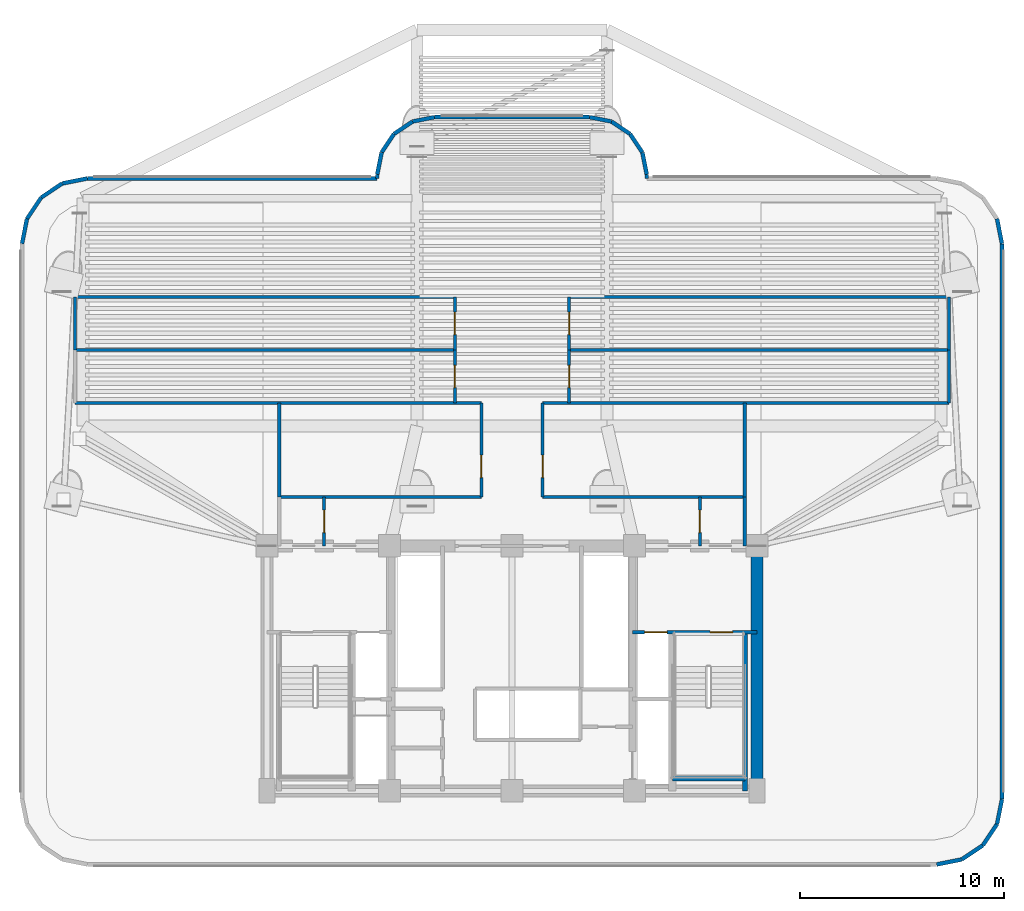
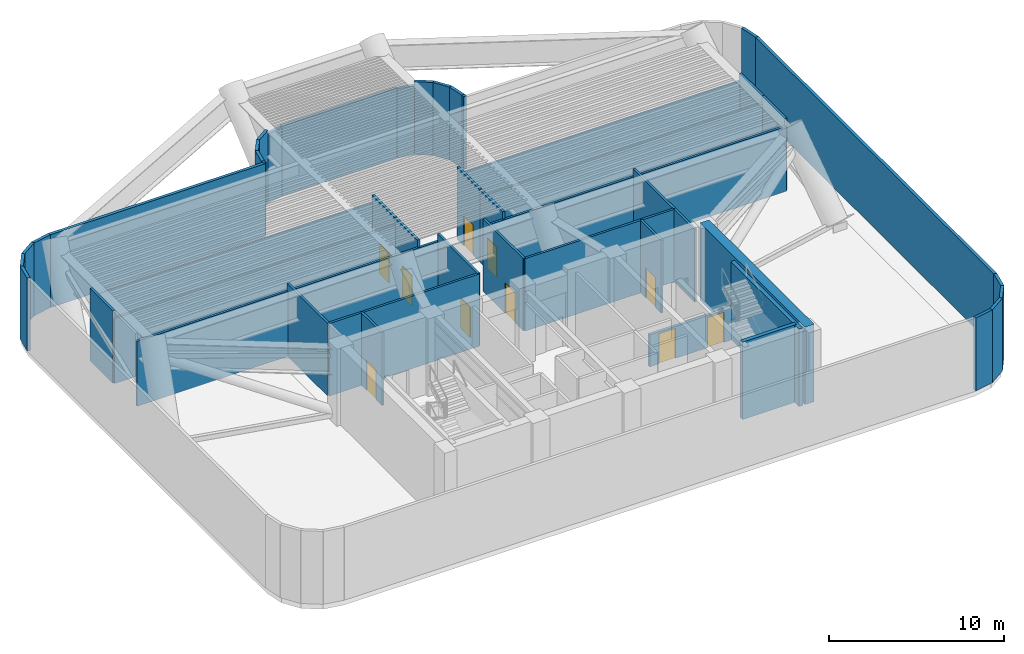
# One storey, part 6 of 11: 48 walls, 10 doors, 10 openings.
"""IFC4 building model written with IfcOpenShell, lengths in metres."""

from ifc_helpers import new_model, si_unit, direction, frame, frame_2d, origin, origin_2d, place, context, subcontext, project, spatial, rectangle, extrude, source, transform, mapped, material, layer, layer_set, type_object, element, fill, save


model = new_model("IFC4")

# Units and contexts
model_context = context("Model", 3, precision=1e-05, world=origin(), true_north=direction((0.0, 1.0)))
body_context = subcontext(model_context, "Body", "Model", "MODEL_VIEW")
ifc_project = project(units=[si_unit("LENGTHUNIT", "METRE"), si_unit("AREAUNIT", "SQUARE_METRE"), si_unit("VOLUMEUNIT", "CUBIC_METRE"), si_unit("PLANEANGLEUNIT", "RADIAN"), si_unit("MASSUNIT", "GRAM", prefix="KILO")], contexts=[model_context])

# Site, building, storey
site_placement = place(None, origin())
site = spatial("IfcSite", under=ifc_project, at=site_placement, CompositionType="ELEMENT")
building_placement = place(site_placement, origin())
building = spatial("IfcBuilding", under=site, at=building_placement, Name="Brelvock Crest Care Tower", CompositionType="ELEMENT")
storey_placement = place(building_placement, frame((0.0, 0.0, 79.919921875)))
storey = spatial("IfcBuildingStorey", under=building, at=storey_placement, Name="L20", CompositionType="ELEMENT", Elevation=79.919921875)

# Walls
ifc_material_1 = material(Name="Concrete S80 (80 MPa)", Category="concrete")
ifc_layer_1 = layer(ifc_material_1, 0.60009765625, Name="WL-CS1")
ifc_layer_set_1 = layer_set([ifc_layer_1], Name="Concrete S80 (80 MPa)")
wall_type_1 = type_object("IfcWallType", Name="WL-CS1", PredefinedType="SHEAR", material=ifc_layer_set_1)
wall_1_placement = place(storey_placement, frame((48.0, 18.0, 0.0), z_axis=(0.0, 0.0, 1.0), x_axis=(0.0, -1.0, 0.0)))
element("IfcWall", 1, at=wall_1_placement, inside=storey, type_object=wall_type_1, Name="L20 Core East Shear Wall", PredefinedType="SHEAR", context=body_context, shape_type="SweptSolid", body=[
    extrude(rectangle(XDim=12.0, YDim=0.60009765625, at=frame_2d((6.0, 0.0))), origin(), (0.0, 0.0, 1.0), 5.400146484375),
])
ifc_layer_2 = layer(ifc_material_1, 0.25, Name="WL-CS6")
ifc_layer_set_2 = layer_set([ifc_layer_2], Name="Concrete S80 (80 MPa)")
wall_type_2 = type_object("IfcWallType", Name="WL-CS6", PredefinedType="SHEAR", material=ifc_layer_set_2)
wall_2_placement = place(storey_placement, frame((47.419921875, 6.0, 0.0), z_axis=(0.0, 0.0, 1.0), x_axis=(0.0, 1.0, 0.0)))
element("IfcWall", 2, at=wall_2_placement, inside=storey, type_object=wall_type_2, Name="L20 Core Stair ST-2 East Shear Wall", PredefinedType="SHEAR", context=body_context, shape_type="SweptSolid", body=[
    extrude(rectangle(XDim=7.780029296875, YDim=0.25, at=frame_2d((3.89013671875, 0.0))), origin(), (0.0, 0.0, 1.0), 5.400146484375),
])
wall_3_placement = place(storey_placement, frame((43.85009765625, 6.6201171875, 0.0), z_axis=(0.0, 0.0, 1.0), x_axis=(1.0, 0.0, 0.0)))
element("IfcWall", 3, at=wall_3_placement, inside=storey, type_object=wall_type_2, Name="L20 Core Stair ST-2 South Shear Wall", PredefinedType="SHEAR", context=body_context, shape_type="SweptSolid", body=[
    extrude(rectangle(XDim=3.56982421875, YDim=0.25, at=frame_2d((1.784912109375, 0.0))), origin(), (0.0, 0.0, 1.0), 5.400146484375),
])
ifc_material_2 = material(Name="Precast concrete N40 (40 MPa)", Category="concrete")
ifc_layer_3 = layer(ifc_material_2, 0.195068359375, Name="WL-EX3")
ifc_layer_set_3 = layer_set([ifc_layer_3], Name="Precast concrete N40 (40 MPa)")
wall_type_3 = type_object("IfcWallType", Name="WL-EX3", PredefinedType="SOLIDWALL", material=ifc_layer_set_3)
wall_4_placement = place(storey_placement, frame((59.75634765625, 34.024658203125, 0.0), z_axis=(0.0, 0.0, 1.0), x_axis=(0.195138390419, -0.980775717779, 0.0)))
element("IfcWall", 4, at=wall_4_placement, inside=storey, type_object=wall_type_3, Name="L20 Crown and Plant Cladding Wall 02", PredefinedType="SOLIDWALL", context=body_context, shape_type="SweptSolid", body=[
    extrude(rectangle(XDim=1.24853515625, YDim=0.195068359375, at=frame_2d((0.624267578125, 0.0))), origin(), (0.0, 0.0, 1.0), 5.080078125),
])
wall_5_placement = place(storey_placement, frame((60.0, 32.800048828125, 0.0), z_axis=(0.0, 0.0, 1.0), x_axis=(0.0, -1.0, 0.0)))
element("IfcWall", 5, at=wall_5_placement, inside=storey, type_object=wall_type_3, Name="L20 Crown and Plant Cladding Wall 03", PredefinedType="SOLIDWALL", context=body_context, shape_type="SweptSolid", body=[
    extrude(rectangle(XDim=27.199951171875, YDim=0.195068359375, at=frame_2d((13.60009765625, 0.0))), origin(), (0.0, 0.0, 1.0), 5.080078125),
])
for number, where, z_axis, x_axis, name in (
    (6, (60.0, 5.60009765625, 0.0), (0.0, 0.0, 1.0), (-0.195138390419, -0.980775717779, 0.0), "L20 Crown and Plant Cladding Wall 04"),
    (7, (59.75634765625, 4.37548828125, 0.0), (0.0, 0.0, 1.0), (-0.555557312883, -0.831478245117, 0.0), "L20 Crown and Plant Cladding Wall 05"),
    (8, (59.062744140625, 3.33740234375, 0.0), (0.0, 0.0, 1.0), (-0.831387912822, -0.555692485475, 0.0), "L20 Crown and Plant Cladding Wall 06"),
    (9, (58.024658203125, 2.6435546875, 0.0), (0.0, 0.0, 1.0), (-0.980775717779, -0.195138390419, 0.0), "L20 Crown and Plant Cladding Wall 07"),
    (10, (12.0, 32.800048828125, 0.0), (0.0, 0.0, 1.0), (0.195138390419, 0.980775717779, 0.0), "L20 Crown and Plant Cladding Wall 14"),
    (11, (12.24365234375, 34.024658203125, 0.0), (0.0, 0.0, 1.0), (0.555557312883, 0.831478245117, 0.0), "L20 Crown and Plant Cladding Wall 15"),
    (12, (12.937255859375, 35.062744140625, 0.0), (0.0, 0.0, 1.0), (0.831478245117, 0.555557312883, 0.0), "L20 Crown and Plant Cladding Wall 16"),
    (13, (13.975341796875, 35.75634765625, 0.0), (0.0, 0.0, 1.0), (0.980775717779, 0.195138390419, 0.0), "L20 Crown and Plant Cladding Wall 17"),
):
    element("IfcWall", number, at=place(storey_placement, frame(where, z_axis=z_axis, x_axis=x_axis)), inside=storey, type_object=wall_type_3, Name=name, PredefinedType="SOLIDWALL", context=body_context, shape_type="SweptSolid", body=[
        extrude(rectangle(XDim=1.24853515625, YDim=0.195068359375, at=frame_2d((0.624267578125, 0.0))), origin(), (0.0, 0.0, 1.0), 5.080078125),
    ])
wall_6_placement = place(storey_placement, frame((15.199951171875, 36.0, 0.0), z_axis=(0.0, 0.0, 1.0), x_axis=(1.0, 0.0, 0.0)))
element("IfcWall", 14, at=wall_6_placement, inside=storey, type_object=wall_type_3, Name="L20 Crown and Plant Cladding Wall 18", PredefinedType="SOLIDWALL", context=body_context, shape_type="SweptSolid", body=[
    extrude(rectangle(XDim=14.199951171875, YDim=0.195068359375, at=frame_2d((7.10009765625, 0.0))), origin(), (0.0, 0.0, 1.0), 5.080078125),
])
wall_7_placement = place(storey_placement, frame((29.39990234375, 36.0, 0.0), z_axis=(0.0, 0.0, 1.0), x_axis=(0.0, 1.0, 0.0)))
element("IfcWall", 15, at=wall_7_placement, inside=storey, type_object=wall_type_3, Name="L20 Crown and Plant Cladding Wall 19", PredefinedType="SOLIDWALL", context=body_context, shape_type="SweptSolid", body=[
    extrude(rectangle(XDim=0.199951171875, YDim=0.195068359375, at=frame_2d((0.10009765625, 0.0))), origin(), (0.0, 0.0, 1.0), 5.080078125),
])
wall_8_placement = place(storey_placement, frame((29.39990234375, 36.199951171875, 0.0), z_axis=(0.0, 0.0, 1.0), x_axis=(0.195084651288, 0.980786408364, 0.0)))
element("IfcWall", 16, at=wall_8_placement, inside=storey, type_object=wall_type_3, Name="L20 Crown and Plant Cladding Wall 20", PredefinedType="SOLIDWALL", context=body_context, shape_type="SweptSolid", body=[
    extrude(rectangle(XDim=1.092529296875, YDim=0.195068359375, at=frame_2d((0.54638671875, 0.0))), origin(), (0.0, 0.0, 1.0), 5.080078125),
])
wall_9_placement = place(storey_placement, frame((29.613037109375, 37.271484375, 0.0), z_axis=(0.0, 0.0, 1.0), x_axis=(0.555679482341, 0.831396603857, 0.0)))
element("IfcWall", 17, at=wall_9_placement, inside=storey, type_object=wall_type_3, Name="L20 Crown and Plant Cladding Wall 21", PredefinedType="SOLIDWALL", context=body_context, shape_type="SweptSolid", body=[
    extrude(rectangle(XDim=1.0927734375, YDim=0.195068359375, at=frame_2d((0.54638671875, 0.0))), origin(), (0.0, 0.0, 1.0), 5.080078125),
])
wall_10_placement = place(storey_placement, frame((30.22021484375, 38.179931640625, 0.0), z_axis=(0.0, 0.0, 1.0), x_axis=(0.831430845238, 0.555628247651, 0.0)))
element("IfcWall", 18, at=wall_10_placement, inside=storey, type_object=wall_type_3, Name="L20 Crown and Plant Cladding Wall 22", PredefinedType="SOLIDWALL", context=body_context, shape_type="SweptSolid", body=[
    extrude(rectangle(XDim=1.09228515625, YDim=0.195068359375, at=frame_2d((0.546142578125, 0.0))), origin(), (0.0, 0.0, 1.0), 5.080078125),
])
wall_11_placement = place(storey_placement, frame((31.12841796875, 38.786865234375, 0.0), z_axis=(0.0, 0.0, 1.0), x_axis=(0.980786408364, 0.195084651288, 0.0)))
element("IfcWall", 19, at=wall_11_placement, inside=storey, type_object=wall_type_3, Name="L20 Crown and Plant Cladding Wall 23", PredefinedType="SOLIDWALL", context=body_context, shape_type="SweptSolid", body=[
    extrude(rectangle(XDim=1.092529296875, YDim=0.195068359375, at=frame_2d((0.54638671875, 0.0))), origin(), (0.0, 0.0, 1.0), 4.81201171875),
])
wall_12_placement = place(storey_placement, frame((32.199951171875, 39.0, 0.0), z_axis=(0.0, 0.0, 1.0), x_axis=(1.0, 0.0, 0.0)))
element("IfcWall", 20, at=wall_12_placement, inside=storey, type_object=wall_type_3, Name="L20 Crown and Plant Cladding Wall 24", PredefinedType="SOLIDWALL", context=body_context, shape_type="SweptSolid", body=[
    extrude(rectangle(XDim=7.60009765625, YDim=0.195068359375, at=frame_2d((3.800048828125, 0.0))), origin(), (0.0, 0.0, 1.0), 4.861083984375),
])
wall_13_placement = place(storey_placement, frame((39.800048828125, 39.0, 0.0), z_axis=(0.0, 0.0, 1.0), x_axis=(0.980786408364, -0.195084651288, 0.0)))
element("IfcWall", 21, at=wall_13_placement, inside=storey, type_object=wall_type_3, Name="L20 Crown and Plant Cladding Wall 25", PredefinedType="SOLIDWALL", context=body_context, shape_type="SweptSolid", body=[
    extrude(rectangle(XDim=1.092529296875, YDim=0.195068359375, at=frame_2d((0.54638671875, 0.0))), origin(), (0.0, 0.0, 1.0), 4.81201171875),
])
wall_14_placement = place(storey_placement, frame((40.87158203125, 38.786865234375, 0.0), z_axis=(0.0, 0.0, 1.0), x_axis=(0.831430845238, -0.555628247651, 0.0)))
element("IfcWall", 22, at=wall_14_placement, inside=storey, type_object=wall_type_3, Name="L20 Crown and Plant Cladding Wall 26", PredefinedType="SOLIDWALL", context=body_context, shape_type="SweptSolid", body=[
    extrude(rectangle(XDim=1.09228515625, YDim=0.195068359375, at=frame_2d((0.546142578125, 0.0))), origin(), (0.0, 0.0, 1.0), 5.080078125),
])
wall_15_placement = place(storey_placement, frame((41.77978515625, 38.179931640625, 0.0), z_axis=(0.0, 0.0, 1.0), x_axis=(0.555679482341, -0.831396603857, 0.0)))
element("IfcWall", 23, at=wall_15_placement, inside=storey, type_object=wall_type_3, Name="L20 Crown and Plant Cladding Wall 27", PredefinedType="SOLIDWALL", context=body_context, shape_type="SweptSolid", body=[
    extrude(rectangle(XDim=1.0927734375, YDim=0.195068359375, at=frame_2d((0.54638671875, 0.0))), origin(), (0.0, 0.0, 1.0), 5.080078125),
])
wall_16_placement = place(storey_placement, frame((42.386962890625, 37.271484375, 0.0), z_axis=(0.0, 0.0, 1.0), x_axis=(0.195084651288, -0.980786408364, 0.0)))
element("IfcWall", 24, at=wall_16_placement, inside=storey, type_object=wall_type_3, Name="L20 Crown and Plant Cladding Wall 28", PredefinedType="SOLIDWALL", context=body_context, shape_type="SweptSolid", body=[
    extrude(rectangle(XDim=1.092529296875, YDim=0.195068359375, at=frame_2d((0.54638671875, 0.0))), origin(), (0.0, 0.0, 1.0), 5.080078125),
])
wall_17_placement = place(storey_placement, frame((42.60009765625, 36.199951171875, 0.0), z_axis=(0.0, 0.0, 1.0), x_axis=(0.0, -1.0, 0.0)))
element("IfcWall", 25, at=wall_17_placement, inside=storey, type_object=wall_type_3, Name="L20 Crown and Plant Cladding Wall 29", PredefinedType="SOLIDWALL", context=body_context, shape_type="SweptSolid", body=[
    extrude(rectangle(XDim=0.199951171875, YDim=0.195068359375, at=frame_2d((0.10009765625, 0.0))), origin(), (0.0, 0.0, 1.0), 5.080078125),
])
ifc_material_3 = material(Name="Masonry Blockwork Acoustic Partition", Category="masonry")
ifc_layer_4 = layer(ifc_material_3, 0.14990234375, Name="WL-INT1")
ifc_layer_set_4 = layer_set([ifc_layer_4], Name="Masonry Blockwork Acoustic Partition")
wall_type_4 = type_object("IfcWallType", Name="WL-INT1", PredefinedType="PARTITIONING", material=ifc_layer_set_4)
for number, where, z_axis, x_axis, name in (
    (26, (24.60009765625, 20.39990234375, 0.0), (0.0, 0.0, 1.0), (1.0, 0.0, 0.0), "L20 Interior Wall WL-BX-L20-REFNW-S"),
    (27, (37.5, 20.39990234375, 0.0), (0.0, 0.0, 1.0), (1.0, 0.0, 0.0), "L20 Interior Wall WL-BX-L20-REFNE-S"),
):
    element("IfcWall", number, at=place(storey_placement, frame(where, z_axis=z_axis, x_axis=x_axis)), inside=storey, type_object=wall_type_4, Name=name, PredefinedType="PARTITIONING", context=body_context, shape_type="SweptSolid", body=[
        extrude(rectangle(XDim=9.89990234375, YDim=0.14990234375, at=frame_2d((4.949951171875, 0.0))), origin(), (0.0, 0.0, 1.0), 5.050048828125),
    ])
for number, where, z_axis, x_axis, name in (
    (28, (14.60009765625, 25.0, 0.0), (0.0, 0.0, 1.0), (1.0, 0.0, 0.0), "L20 Interior Wall WL-BX-L20-AHUW-S"),
    (29, (37.5, 25.0, 0.0), (0.0, 0.0, 1.0), (1.0, 0.0, 0.0), "L20 Interior Wall WL-BX-L20-REFNE-N"),
):
    element("IfcWall", number, at=place(storey_placement, frame(where, z_axis=z_axis, x_axis=x_axis)), inside=storey, type_object=wall_type_4, Name=name, PredefinedType="PARTITIONING", context=body_context, shape_type="SweptSolid", body=[
        extrude(rectangle(XDim=19.89990234375, YDim=0.14990234375, at=frame_2d((9.949951171875, 0.0))), origin(), (0.0, 0.0, 1.0), 4.531982421875),
    ])
for number, where, z_axis, x_axis, name in (
    (30, (14.60009765625, 27.60009765625, 0.0), (0.0, 0.0, 1.0), (1.0, 0.0, 0.0), "L20 Interior Wall WL-BX-L20-AHUW-N"),
    (31, (38.800048828125, 27.60009765625, 0.0), (0.0, 0.0, 1.0), (1.0, 0.0, 0.0), "L20 Interior Wall WL-BX-L20-CHLE-N"),
    (32, (14.60009765625, 30.199951171875, 0.0), (0.0, 0.0, 1.0), (1.0, 0.0, 0.0), "L20 Interior Wall WL-BX-L20-PMPW-N"),
    (33, (38.800048828125, 30.199951171875, 0.0), (0.0, 0.0, 1.0), (1.0, 0.0, 0.0), "L20 Interior Wall WL-BX-L20-SWGE-N"),
):
    element("IfcWall", number, at=place(storey_placement, frame(where, z_axis=z_axis, x_axis=x_axis)), inside=storey, type_object=wall_type_4, Name=name, PredefinedType="PARTITIONING", context=body_context, shape_type="SweptSolid", body=[
        extrude(rectangle(XDim=18.599853515625, YDim=0.14990234375, at=frame_2d((9.2998046875, 0.0))), origin(), (0.0, 0.0, 1.0), 4.531982421875),
    ])
wall_18_placement = place(storey_placement, frame((14.60009765625, 27.60009765625, 0.0), z_axis=(0.0, 0.0, 1.0), x_axis=(0.0, 1.0, 0.0)))
element("IfcWall", 34, at=wall_18_placement, inside=storey, type_object=wall_type_4, Name="L20 Interior Wall WL-BX-L20-PMPW-W", PredefinedType="PARTITIONING", context=body_context, shape_type="SweptSolid", body=[
    extrude(rectangle(XDim=2.599853515625, YDim=0.14990234375, at=frame_2d((1.2998046875, 0.0))), origin(), (0.0, 0.0, 1.0), 5.050048828125),
])
wall_19_placement = place(storey_placement, frame((24.60009765625, 20.39990234375, 0.0), z_axis=(0.0, 0.0, 1.0), x_axis=(0.0, 1.0, 0.0)))
element("IfcWall", 35, at=wall_19_placement, inside=storey, type_object=wall_type_4, Name="L20 Interior Wall WL-BX-L20-REFNW-W", PredefinedType="PARTITIONING", context=body_context, shape_type="SweptSolid", body=[
    extrude(rectangle(XDim=4.60009765625, YDim=0.14990234375, at=frame_2d((2.300048828125, 0.0))), origin(), (0.0, 0.0, 1.0), 5.050048828125),
])

# Wall, opening, door
wall_20_placement = place(storey_placement, frame((26.800048828125, 18.0, 0.0), z_axis=(0.0, 0.0, 1.0), x_axis=(0.0, 1.0, 0.0)))
wall_20 = element("IfcWall", 36, at=wall_20_placement, inside=storey, type_object=wall_type_4, Name="L20 Interior Wall WL-RM-L20-REFW", PredefinedType="PARTITIONING", context=body_context, shape_type="SweptSolid", body=[
    extrude(rectangle(XDim=2.39990234375, YDim=0.14990234375, at=frame_2d((1.199951171875, 0.0))), origin(), (0.0, 0.0, 1.0), 5.050048828125),
])
opening_1_placement = place(wall_20_placement, frame((0.64990234375, 0.0, 0.0)))
opening_1 = element("IfcOpeningElement", 37, at=opening_1_placement, cuts=wall_20, Name="Opening PD-1", PredefinedType="OPENING", context=body_context, shape_type="SweptSolid", body=[
    extrude(rectangle(XDim=1.10009765625, YDim=2.10009765625, at=origin_2d()), frame((0.550048828125, 0.0849609375, 1.050048828125), z_axis=(0.0, -1.0, 0.0), x_axis=(1.0, 0.0, 0.0)), (0.0, 0.0, 1.0), 0.169921875),
])
ifc_material_4 = material(Name="Steel Grade 350", Category="steel")
door_type_1 = type_object("IfcDoorType", Name="DR-PLT1", OperationType="NOTDEFINED", PredefinedType="DOOR", material=ifc_material_4)
shared_shape_1 = source(origin(), body_context, "Body", "SweptSolid", [
    extrude(rectangle(XDim=1.10009765625, YDim=2.10009765625, at=origin_2d()), frame((0.550048828125, 0.02490234375, 1.050048828125), z_axis=(0.0, -1.0, 0.0), x_axis=(1.0, 0.0, 0.0)), (0.0, 0.0, 1.0), 0.050048828125),
])
door_1_placement = place(opening_1_placement, origin())
door_1 = element("IfcDoor", 38, at=door_1_placement, inside=storey, type_object=door_type_1, Name="L20 Protected Fire Refuge Area West REFW Door REFW", OperationType="SINGLE_SWING_LEFT", OverallHeight=2.10009765625, OverallWidth=1.10009765625, PredefinedType="DOOR", context=body_context, shape_type="MappedRepresentation", body=[
    mapped(shared_shape_1, transform((0.0, 0.0, 0.0), x_axis=(1.0, 0.0, 0.0), y_axis=(0.0, 1.0, 0.0), z_axis=(0.0, 0.0, 1.0), scale=1.0)),
])
fill(opening_1, door_1)

wall_21_placement = place(storey_placement, frame((33.199951171875, 25.0, 0.0), z_axis=(0.0, 0.0, 1.0), x_axis=(0.0, 1.0, 0.0)))
wall_21 = element("IfcWall", 39, at=wall_21_placement, inside=storey, type_object=wall_type_4, Name="L20 Interior Wall WL-RM-L20-AHUW", PredefinedType="PARTITIONING", context=body_context, shape_type="SweptSolid", body=[
    extrude(rectangle(XDim=2.60009765625, YDim=0.14990234375, at=frame_2d((1.300048828125, 0.0))), origin(), (0.0, 0.0, 1.0), 5.050048828125),
])
opening_2_placement = place(wall_21_placement, frame((0.75, 0.0, 0.0)))
opening_2 = element("IfcOpeningElement", 40, at=opening_2_placement, cuts=wall_21, Name="Opening PD-1", PredefinedType="OPENING", context=body_context, shape_type="SweptSolid", body=[
    extrude(rectangle(XDim=1.10009765625, YDim=2.10009765625, at=origin_2d()), frame((0.550048828125, 0.0849609375, 1.050048828125), z_axis=(0.0, -1.0, 0.0), x_axis=(1.0, 0.0, 0.0)), (0.0, 0.0, 1.0), 0.169921875),
])
door_2_placement = place(opening_2_placement, origin())
door_2 = element("IfcDoor", 41, at=door_2_placement, inside=storey, type_object=door_type_1, Name="L20 Zone Air Handling Mechanical Plant Door AHUW", OperationType="SINGLE_SWING_LEFT", OverallHeight=2.10009765625, OverallWidth=1.10009765625, PredefinedType="DOOR", context=body_context, shape_type="MappedRepresentation", body=[
    mapped(shared_shape_1, transform((0.0, 0.0, 0.0), x_axis=(1.0, 0.0, 0.0), y_axis=(0.0, 1.0, 0.0), z_axis=(0.0, 0.0, 1.0), scale=1.0)),
])
fill(opening_2, door_2)

wall_22_placement = place(storey_placement, frame((33.199951171875, 27.60009765625, 0.0), z_axis=(0.0, 0.0, 1.0), x_axis=(0.0, 1.0, 0.0)))
wall_22 = element("IfcWall", 42, at=wall_22_placement, inside=storey, type_object=wall_type_4, Name="L20 Interior Wall WL-RM-L20-PMPW", PredefinedType="PARTITIONING", context=body_context, shape_type="SweptSolid", body=[
    extrude(rectangle(XDim=2.599853515625, YDim=0.14990234375, at=frame_2d((1.2998046875, 0.0))), origin(), (0.0, 0.0, 1.0), 5.050048828125),
])
opening_3_placement = place(wall_22_placement, frame((0.75, 0.0, 0.0)))
opening_3 = element("IfcOpeningElement", 43, at=opening_3_placement, cuts=wall_22, Name="Opening PD-1", PredefinedType="OPENING", context=body_context, shape_type="SweptSolid", body=[
    extrude(rectangle(XDim=1.10009765625, YDim=2.10009765625, at=origin_2d()), frame((0.550048828125, 0.0849609375, 1.050048828125), z_axis=(0.0, -1.0, 0.0), x_axis=(1.0, 0.0, 0.0)), (0.0, 0.0, 1.0), 0.169921875),
])
door_3_placement = place(opening_3_placement, origin())
door_3 = element("IfcDoor", 44, at=door_3_placement, inside=storey, type_object=door_type_1, Name="L20 Domestic Booster Pump Plant Room Door PMPW", OperationType="SINGLE_SWING_LEFT", OverallHeight=2.10009765625, OverallWidth=1.10009765625, PredefinedType="DOOR", context=body_context, shape_type="MappedRepresentation", body=[
    mapped(shared_shape_1, transform((0.0, 0.0, 0.0), x_axis=(1.0, 0.0, 0.0), y_axis=(0.0, 1.0, 0.0), z_axis=(0.0, 0.0, 1.0), scale=1.0)),
])
fill(opening_3, door_3)

wall_23_placement = place(storey_placement, frame((34.5, 20.39990234375, 0.0), z_axis=(0.0, 0.0, 1.0), x_axis=(0.0, 1.0, 0.0)))
wall_23 = element("IfcWall", 45, at=wall_23_placement, inside=storey, type_object=wall_type_4, Name="L20 Interior Wall WL-RM-L20-REFNW", PredefinedType="PARTITIONING", context=body_context, shape_type="SweptSolid", body=[
    extrude(rectangle(XDim=4.60009765625, YDim=0.14990234375, at=frame_2d((2.300048828125, 0.0))), origin(), (0.0, 0.0, 1.0), 5.050048828125),
])
opening_4_placement = place(wall_23_placement, frame((0.949951171875, 0.0, 0.0)))
opening_4 = element("IfcOpeningElement", 46, at=opening_4_placement, cuts=wall_23, Name="Opening PD-1", PredefinedType="OPENING", context=body_context, shape_type="SweptSolid", body=[
    extrude(rectangle(XDim=1.10009765625, YDim=2.10009765625, at=origin_2d()), frame((0.550048828125, 0.0849609375, 1.050048828125), z_axis=(0.0, -1.0, 0.0), x_axis=(1.0, 0.0, 0.0)), (0.0, 0.0, 1.0), 0.169921875),
])
door_4_placement = place(opening_4_placement, origin())
door_4 = element("IfcDoor", 47, at=door_4_placement, inside=storey, type_object=door_type_1, Name="L20 Protected Fire Refuge Holding Area North-West REFNW Door REFNW", OperationType="SINGLE_SWING_LEFT", OverallHeight=2.10009765625, OverallWidth=1.10009765625, PredefinedType="DOOR", context=body_context, shape_type="MappedRepresentation", body=[
    mapped(shared_shape_1, transform((0.0, 0.0, 0.0), x_axis=(1.0, 0.0, 0.0), y_axis=(0.0, 1.0, 0.0), z_axis=(0.0, 0.0, 1.0), scale=1.0)),
])
fill(opening_4, door_4)

wall_24_placement = place(storey_placement, frame((37.5, 20.39990234375, 0.0), z_axis=(0.0, 0.0, 1.0), x_axis=(0.0, 1.0, 0.0)))
wall_24 = element("IfcWall", 48, at=wall_24_placement, inside=storey, type_object=wall_type_4, Name="L20 Interior Wall WL-RM-L20-REFNE", PredefinedType="PARTITIONING", context=body_context, shape_type="SweptSolid", body=[
    extrude(rectangle(XDim=4.60009765625, YDim=0.14990234375, at=frame_2d((2.300048828125, 0.0))), origin(), (0.0, 0.0, 1.0), 5.050048828125),
])
opening_5_placement = place(wall_24_placement, frame((0.949951171875, 0.0, 0.0)))
opening_5 = element("IfcOpeningElement", 49, at=opening_5_placement, cuts=wall_24, Name="Opening PD-1", PredefinedType="OPENING", context=body_context, shape_type="SweptSolid", body=[
    extrude(rectangle(XDim=1.10009765625, YDim=2.10009765625, at=origin_2d()), frame((0.550048828125, 0.0849609375, 1.050048828125), z_axis=(0.0, -1.0, 0.0), x_axis=(1.0, 0.0, 0.0)), (0.0, 0.0, 1.0), 0.169921875),
])
door_5_placement = place(opening_5_placement, origin())
door_5 = element("IfcDoor", 50, at=door_5_placement, inside=storey, type_object=door_type_1, Name="L20 Protected Fire Refuge Holding Area North-East REFNE Door REFNE", OperationType="SINGLE_SWING_LEFT", OverallHeight=2.10009765625, OverallWidth=1.10009765625, PredefinedType="DOOR", context=body_context, shape_type="MappedRepresentation", body=[
    mapped(shared_shape_1, transform((0.0, 0.0, 0.0), x_axis=(1.0, 0.0, 0.0), y_axis=(0.0, 1.0, 0.0), z_axis=(0.0, 0.0, 1.0), scale=1.0)),
])
fill(opening_5, door_5)

wall_25_placement = place(storey_placement, frame((38.800048828125, 25.0, 0.0), z_axis=(0.0, 0.0, 1.0), x_axis=(0.0, 1.0, 0.0)))
wall_25 = element("IfcWall", 51, at=wall_25_placement, inside=storey, type_object=wall_type_4, Name="L20 Interior Wall WL-RM-L20-CHLE", PredefinedType="PARTITIONING", context=body_context, shape_type="SweptSolid", body=[
    extrude(rectangle(XDim=2.60009765625, YDim=0.14990234375, at=frame_2d((1.300048828125, 0.0))), origin(), (0.0, 0.0, 1.0), 5.050048828125),
])
opening_6_placement = place(wall_25_placement, frame((0.75, 0.0, 0.0)))
opening_6 = element("IfcOpeningElement", 52, at=opening_6_placement, cuts=wall_25, Name="Opening PD-1", PredefinedType="OPENING", context=body_context, shape_type="SweptSolid", body=[
    extrude(rectangle(XDim=1.10009765625, YDim=2.10009765625, at=origin_2d()), frame((0.550048828125, 0.0849609375, 1.050048828125), z_axis=(0.0, -1.0, 0.0), x_axis=(1.0, 0.0, 0.0)), (0.0, 0.0, 1.0), 0.169921875),
])
door_6_placement = place(opening_6_placement, origin())
door_6 = element("IfcDoor", 53, at=door_6_placement, inside=storey, type_object=door_type_1, Name="L20 Chilled Water Heat-Exchanger Plant Door CHLE", OperationType="SINGLE_SWING_LEFT", OverallHeight=2.10009765625, OverallWidth=1.10009765625, PredefinedType="DOOR", context=body_context, shape_type="MappedRepresentation", body=[
    mapped(shared_shape_1, transform((0.0, 0.0, 0.0), x_axis=(1.0, 0.0, 0.0), y_axis=(0.0, 1.0, 0.0), z_axis=(0.0, 0.0, 1.0), scale=1.0)),
])
fill(opening_6, door_6)

wall_26_placement = place(storey_placement, frame((38.800048828125, 27.60009765625, 0.0), z_axis=(0.0, 0.0, 1.0), x_axis=(0.0, 1.0, 0.0)))
wall_26 = element("IfcWall", 54, at=wall_26_placement, inside=storey, type_object=wall_type_4, Name="L20 Interior Wall WL-RM-L20-SWGE", PredefinedType="PARTITIONING", context=body_context, shape_type="SweptSolid", body=[
    extrude(rectangle(XDim=2.599853515625, YDim=0.14990234375, at=frame_2d((1.2998046875, 0.0))), origin(), (0.0, 0.0, 1.0), 5.050048828125),
])
opening_7_placement = place(wall_26_placement, frame((0.75, 0.0, 0.0)))
opening_7 = element("IfcOpeningElement", 55, at=opening_7_placement, cuts=wall_26, Name="Opening PD-1", PredefinedType="OPENING", context=body_context, shape_type="SweptSolid", body=[
    extrude(rectangle(XDim=1.10009765625, YDim=2.10009765625, at=origin_2d()), frame((0.550048828125, 0.0849609375, 1.050048828125), z_axis=(0.0, -1.0, 0.0), x_axis=(1.0, 0.0, 0.0)), (0.0, 0.0, 1.0), 0.169921875),
])
door_7_placement = place(opening_7_placement, origin())
door_7 = element("IfcDoor", 56, at=door_7_placement, inside=storey, type_object=door_type_1, Name="L20 HV Transformer Switchgear Plant Room Door SWGE", OperationType="SINGLE_SWING_LEFT", OverallHeight=2.10009765625, OverallWidth=1.10009765625, PredefinedType="DOOR", context=body_context, shape_type="MappedRepresentation", body=[
    mapped(shared_shape_1, transform((0.0, 0.0, 0.0), x_axis=(1.0, 0.0, 0.0), y_axis=(0.0, 1.0, 0.0), z_axis=(0.0, 0.0, 1.0), scale=1.0)),
])
fill(opening_7, door_7)

wall_27_placement = place(storey_placement, frame((45.199951171875, 18.0, 0.0), z_axis=(0.0, 0.0, 1.0), x_axis=(0.0, 1.0, 0.0)))
wall_27 = element("IfcWall", 57, at=wall_27_placement, inside=storey, type_object=wall_type_4, Name="L20 Interior Wall WL-RM-L20-REFE", PredefinedType="PARTITIONING", context=body_context, shape_type="SweptSolid", body=[
    extrude(rectangle(XDim=2.39990234375, YDim=0.14990234375, at=frame_2d((1.199951171875, 0.0))), origin(), (0.0, 0.0, 1.0), 5.050048828125),
])
opening_8_placement = place(wall_27_placement, frame((0.64990234375, 0.0, 0.0)))
opening_8 = element("IfcOpeningElement", 58, at=opening_8_placement, cuts=wall_27, Name="Opening PD-1", PredefinedType="OPENING", context=body_context, shape_type="SweptSolid", body=[
    extrude(rectangle(XDim=1.10009765625, YDim=2.10009765625, at=origin_2d()), frame((0.550048828125, 0.0849609375, 1.050048828125), z_axis=(0.0, -1.0, 0.0), x_axis=(1.0, 0.0, 0.0)), (0.0, 0.0, 1.0), 0.169921875),
])
door_8_placement = place(opening_8_placement, origin())
door_8 = element("IfcDoor", 59, at=door_8_placement, inside=storey, type_object=door_type_1, Name="L20 Protected Fire Refuge Area East REFE Door REFE", OperationType="SINGLE_SWING_LEFT", OverallHeight=2.10009765625, OverallWidth=1.10009765625, PredefinedType="DOOR", context=body_context, shape_type="MappedRepresentation", body=[
    mapped(shared_shape_1, transform((0.0, 0.0, 0.0), x_axis=(1.0, 0.0, 0.0), y_axis=(0.0, 1.0, 0.0), z_axis=(0.0, 0.0, 1.0), scale=1.0)),
])
fill(opening_8, door_8)

# Walls
wall_28_placement = place(storey_placement, frame((47.39990234375, 18.0, 0.0), z_axis=(0.0, 0.0, 1.0), x_axis=(0.0, 1.0, 0.0)))
element("IfcWall", 60, at=wall_28_placement, inside=storey, type_object=wall_type_4, Name="L20 Interior Wall WL-BX-L20-REFE-E", PredefinedType="PARTITIONING", context=body_context, shape_type="SweptSolid", body=[
    extrude(rectangle(XDim=2.39990234375, YDim=0.14990234375, at=frame_2d((1.199951171875, 0.0))), origin(), (0.0, 0.0, 1.0), 5.050048828125),
])
wall_29_placement = place(storey_placement, frame((47.39990234375, 20.39990234375, 0.0), z_axis=(0.0, 0.0, 1.0), x_axis=(0.0, 1.0, 0.0)))
element("IfcWall", 61, at=wall_29_placement, inside=storey, type_object=wall_type_4, Name="L20 Interior Wall WL-BX-L20-REFNE-E", PredefinedType="PARTITIONING", context=body_context, shape_type="SweptSolid", body=[
    extrude(rectangle(XDim=4.60009765625, YDim=0.14990234375, at=frame_2d((2.300048828125, 0.0))), origin(), (0.0, 0.0, 1.0), 5.050048828125),
])
wall_30_placement = place(storey_placement, frame((57.39990234375, 25.0, 0.0), z_axis=(0.0, 0.0, 1.0), x_axis=(0.0, 1.0, 0.0)))
element("IfcWall", 62, at=wall_30_placement, inside=storey, type_object=wall_type_4, Name="L20 Interior Wall WL-BX-L20-CHLE-E", PredefinedType="PARTITIONING", context=body_context, shape_type="SweptSolid", body=[
    extrude(rectangle(XDim=2.60009765625, YDim=0.14990234375, at=frame_2d((1.300048828125, 0.0))), origin(), (0.0, 0.0, 1.0), 5.050048828125),
])
wall_31_placement = place(storey_placement, frame((57.39990234375, 27.60009765625, 0.0), z_axis=(0.0, 0.0, 1.0), x_axis=(0.0, 1.0, 0.0)))
element("IfcWall", 63, at=wall_31_placement, inside=storey, type_object=wall_type_4, Name="L20 Interior Wall WL-BX-L20-SWGE-E", PredefinedType="PARTITIONING", context=body_context, shape_type="SweptSolid", body=[
    extrude(rectangle(XDim=2.599853515625, YDim=0.14990234375, at=frame_2d((1.2998046875, 0.0))), origin(), (0.0, 0.0, 1.0), 5.050048828125),
])

# Wall, openings, doors
ifc_layer_5 = layer(ifc_material_3, 0.179931640625, Name="WL-SHF1")
ifc_layer_set_5 = layer_set([ifc_layer_5], Name="Masonry Blockwork Acoustic Partition")
wall_type_5 = type_object("IfcWallType", Name="WL-SHF1", PredefinedType="PARTITIONING", material=ifc_layer_set_5)
wall_32_placement = place(storey_placement, frame((41.89990234375, 13.780029296875, 0.0), z_axis=(0.0, 0.0, 1.0), x_axis=(1.0, 0.0, 0.0)))
wall_32 = element("IfcWall", 64, at=wall_32_placement, inside=storey, type_object=wall_type_5, Name="L20 Interior Wall WL-ST2-N-L20", PredefinedType="PARTITIONING", context=body_context, shape_type="SweptSolid", body=[
    extrude(rectangle(XDim=6.10009765625, YDim=0.179931640625, at=frame_2d((3.050048828125, 0.0))), origin(), (0.0, 0.0, 1.0), 2.22900390625),
])
opening_9_placement = place(wall_32_placement, frame((0.60009765625, 0.0, 0.0)))
opening_9 = element("IfcOpeningElement", 65, at=opening_9_placement, cuts=wall_32, Name="Opening LD", PredefinedType="OPENING", context=body_context, shape_type="SweptSolid", body=[
    extrude(rectangle(XDim=1.10009765625, YDim=2.10009765625, at=origin_2d()), frame((0.550048828125, 0.10009765625, 1.050048828125), z_axis=(0.0, -1.0, 0.0), x_axis=(1.0, 0.0, 0.0)), (0.0, 0.0, 1.0), 0.199951171875),
])
opening_10_placement = place(wall_32_placement, frame((3.800048828125, 0.0, 0.0)))
opening_10 = element("IfcOpeningElement", 66, at=opening_10_placement, cuts=wall_32, Name="Opening SD-1", PredefinedType="OPENING", context=body_context, shape_type="SweptSolid", body=[
    extrude(rectangle(XDim=1.10009765625, YDim=2.10009765625, at=origin_2d()), frame((0.550048828125, 0.10009765625, 1.050048828125), z_axis=(0.0, -1.0, 0.0), x_axis=(1.0, 0.0, 0.0)), (0.0, 0.0, 1.0), 0.199951171875),
])
door_type_2 = type_object("IfcDoorType", Name="DR-ST1", OperationType="NOTDEFINED", PredefinedType="DOOR", material=ifc_material_4)
shared_shape_2 = source(origin(), body_context, "Body", "SweptSolid", [
    extrude(rectangle(XDim=1.10009765625, YDim=2.10009765625, at=origin_2d()), frame((0.550048828125, 0.02490234375, 1.050048828125), z_axis=(0.0, -1.0, 0.0), x_axis=(1.0, 0.0, 0.0)), (0.0, 0.0, 1.0), 0.050048828125),
])
door_9_placement = place(opening_10_placement, origin())
door_9 = element("IfcDoor", 67, at=door_9_placement, inside=storey, type_object=door_type_2, Name="L20 Fire Stair ST-2 Door", OperationType="SINGLE_SWING_RIGHT", OverallHeight=2.10009765625, OverallWidth=1.10009765625, PredefinedType="DOOR", context=body_context, shape_type="MappedRepresentation", body=[
    mapped(shared_shape_2, transform((0.0, 0.0, 0.0), x_axis=(1.0, 0.0, 0.0), y_axis=(0.0, 1.0, 0.0), z_axis=(0.0, 0.0, 1.0), scale=1.0)),
])
fill(opening_10, door_9)
door_type_3 = type_object("IfcDoorType", Name="DR-LD1", OperationType="NOTDEFINED", PredefinedType="DOOR", material=ifc_material_4)
shared_shape_3 = source(origin(), body_context, "Body", "SweptSolid", [
    extrude(rectangle(XDim=1.10009765625, YDim=2.10009765625, at=origin_2d()), frame((0.550048828125, 0.02490234375, 1.050048828125), z_axis=(0.0, -1.0, 0.0), x_axis=(1.0, 0.0, 0.0)), (0.0, 0.0, 1.0), 0.050048828125),
])
door_10_placement = place(opening_9_placement, origin())
door_10 = element("IfcDoor", 68, at=door_10_placement, inside=storey, type_object=door_type_3, Name="L20 Firefighting Lift FFL-2 Landing Door", OperationType="SLIDING_TO_RIGHT", OverallHeight=2.10009765625, OverallWidth=1.10009765625, PredefinedType="DOOR", context=body_context, shape_type="MappedRepresentation", body=[
    mapped(shared_shape_3, transform((0.0, 0.0, 0.0), x_axis=(1.0, 0.0, 0.0), y_axis=(0.0, 1.0, 0.0), z_axis=(0.0, 0.0, 1.0), scale=1.0)),
])
fill(opening_9, door_10)

save(model, "model.ifc")
